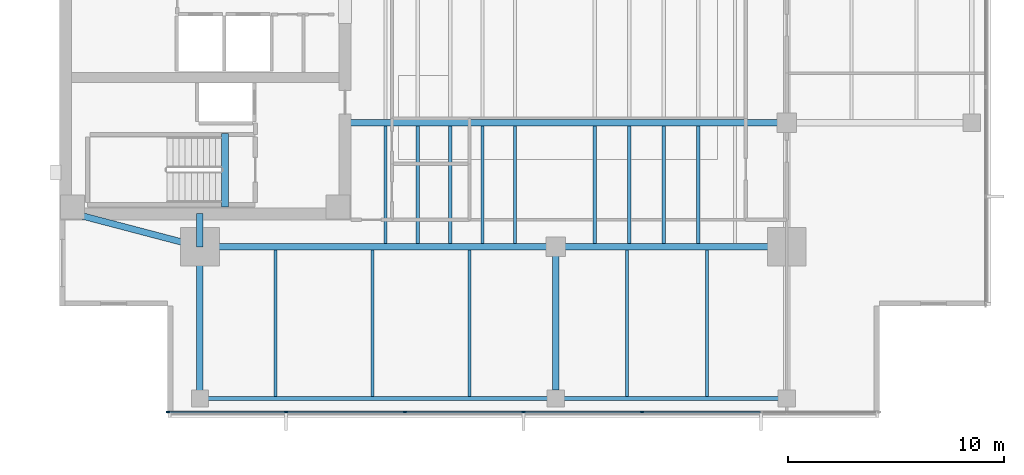
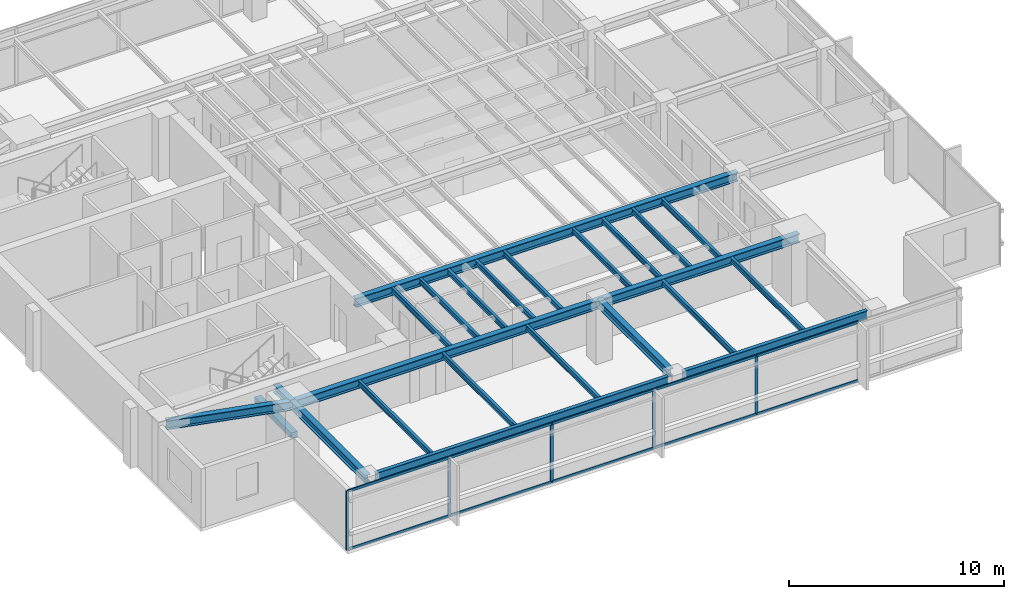
# One storey, part 2 of 14: 24 beams, 15 members, 1 element without a shape of its own.
"""IFC4 building model written with IfcOpenShell, lengths in metres."""

from ifc_helpers import new_model, si_unit, direction, frame, origin, origin_2d, place, context, subcontext, project, spatial, rectangle, i_section, extrude, material, layer, layer_set, material_profile, profile_set, type_object, element, aggregate, save


model = new_model("IFC4")

# Units and contexts
model_context = context("Model", 3, precision=1e-05, world=origin(), true_north=direction((0.0, 1.0)))
body_context = subcontext(model_context, "Body", "Model", "MODEL_VIEW")
ifc_project = project(units=[si_unit("LENGTHUNIT", "METRE"), si_unit("AREAUNIT", "SQUARE_METRE"), si_unit("VOLUMEUNIT", "CUBIC_METRE"), si_unit("PLANEANGLEUNIT", "RADIAN"), si_unit("MASSUNIT", "GRAM", prefix="KILO")], contexts=[model_context])

# Site, building, storey
site_placement = place(None, origin())
site = spatial("IfcSite", under=ifc_project, at=site_placement, CompositionType="ELEMENT")
building_placement = place(site_placement, origin())
building = spatial("IfcBuilding", under=site, at=building_placement, Name="Kinhvarn Gate Tower", CompositionType="ELEMENT")
storey_placement = place(building_placement, frame((0.0, 0.0, 205.800048828125)))
storey = spatial("IfcBuildingStorey", under=building, at=storey_placement, Name="L54", CompositionType="ELEMENT", Elevation=205.800048828125)

# Beam
ifc_material_1 = material(Name="Concrete C50/60", Category="concrete")
ifc_material_profile_1 = material_profile(ifc_material_1, rectangle(XDim=0.340087890625, YDim=0.320068359375, at=origin_2d()), Name="RC 340x320")
ifc_profile_set_1 = profile_set([ifc_material_profile_1], Name="Concrete C50/60")
beam_type_1 = type_object("IfcBeamType", Name="BM-LND-500", PredefinedType="BEAM", material=ifc_profile_set_1)
beam_1_placement = place(storey_placement, frame((12.1650390625, 14.60009765625, -0.16015625), z_axis=(0.0, 1.0, 0.0), x_axis=(-1.0, 0.0, 0.0)))
element("IfcBeam", 1, at=beam_1_placement, inside=storey, type_object=beam_type_1, Name="Stair ST1 Landing Nosing Beam (L54)", PredefinedType="BEAM", context=body_context, shape_type="SweptSolid", body=[
    extrude(rectangle(XDim=0.340087890625, YDim=0.320068359375, at=origin_2d()), origin(), (0.0, 0.0, 1.0), 3.39990234375),
])

# Curtain wall, members
ifc_material_2 = material(Name="Anodised aluminium AW-6063", Category="aluminium")
ifc_layer = layer(ifc_material_2, 0.179931640625)
ifc_layer_set = layer_set([ifc_layer], Name="Anodised aluminium AW-6063")
curtain_wall_type = type_object("IfcCurtainWallType", Name="CW-SYS-3", PredefinedType="NOTDEFINED", material=ifc_layer_set)
curtain_wall_placement = place(storey_placement, origin())
curtain_wall = element("IfcCurtainWall", 2, at=curtain_wall_placement, inside=storey, type_object=curtain_wall_type, Name="Curtain Wall CW3 (L54)", PredefinedType="NOTDEFINED")
ifc_material_profile_2 = material_profile(ifc_material_2, rectangle(XDim=0.06494140625, YDim=0.159912109375, at=origin_2d()), Name="ALU 65x160")
ifc_profile_set_2 = profile_set([ifc_material_profile_2], Name="Anodised aluminium AW-6063")
member_type_1 = type_object("IfcMemberType", Name="CW-MUL-160", PredefinedType="MULLION", material=ifc_profile_set_2)
member_1_placement = place(storey_placement, frame((9.532470703125, 5.090087890625, 0.0), z_axis=(0.0, 0.0, 1.0), x_axis=(0.0, 1.0, 0.0)))
member_1 = element("IfcMember", 3, at=member_1_placement, type_object=member_type_1, Name="CW3 mullion 1", PredefinedType="MULLION", context=body_context, shape_type="SweptSolid", body=[
    extrude(rectangle(XDim=0.06494140625, YDim=0.159912109375, at=origin_2d()), origin(), (0.0, 0.0, 1.0), 3.369873046875),
])
member_2_placement = place(storey_placement, frame((15.0, 5.090087890625, 0.0), z_axis=(0.0, 0.0, 1.0), x_axis=(0.0, 1.0, 0.0)))
member_2 = element("IfcMember", 4, at=member_2_placement, type_object=member_type_1, Name="CW3 mullion 2", PredefinedType="MULLION", context=body_context, shape_type="SweptSolid", body=[
    extrude(rectangle(XDim=0.06494140625, YDim=0.159912109375, at=origin_2d()), origin(), (0.0, 0.0, 1.0), 3.369873046875),
])
member_3_placement = place(storey_placement, frame((20.5, 5.090087890625, 0.0), z_axis=(0.0, 0.0, 1.0), x_axis=(0.0, 1.0, 0.0)))
member_3 = element("IfcMember", 5, at=member_3_placement, type_object=member_type_1, Name="CW3 mullion 3", PredefinedType="MULLION", context=body_context, shape_type="SweptSolid", body=[
    extrude(rectangle(XDim=0.06494140625, YDim=0.159912109375, at=origin_2d()), origin(), (0.0, 0.0, 1.0), 3.369873046875),
])
member_4_placement = place(storey_placement, frame((26.0, 5.090087890625, 0.0), z_axis=(0.0, 0.0, 1.0), x_axis=(0.0, 1.0, 0.0)))
member_4 = element("IfcMember", 6, at=member_4_placement, type_object=member_type_1, Name="CW3 mullion 4", PredefinedType="MULLION", context=body_context, shape_type="SweptSolid", body=[
    extrude(rectangle(XDim=0.06494140625, YDim=0.159912109375, at=origin_2d()), origin(), (0.0, 0.0, 1.0), 3.369873046875),
])
member_5_placement = place(storey_placement, frame((31.5, 5.090087890625, 0.0), z_axis=(0.0, 0.0, 1.0), x_axis=(0.0, 1.0, 0.0)))
member_5 = element("IfcMember", 7, at=member_5_placement, type_object=member_type_1, Name="CW3 mullion 5", PredefinedType="MULLION", context=body_context, shape_type="SweptSolid", body=[
    extrude(rectangle(XDim=0.06494140625, YDim=0.159912109375, at=origin_2d()), origin(), (0.0, 0.0, 1.0), 3.369873046875),
])
ifc_material_profile_3 = material_profile(ifc_material_2, rectangle(XDim=0.070068359375, YDim=0.139892578125, at=origin_2d()), Name="ALU 70x140")
ifc_profile_set_3 = profile_set([ifc_material_profile_3], Name="Anodised aluminium AW-6063")
member_type_2 = type_object("IfcMemberType", Name="CW-TRN-140", PredefinedType="USERDEFINED", material=ifc_profile_set_3)
member_6_placement = place(storey_placement, frame((9.56494140625, 5.090087890625, 0.034912109375), z_axis=(1.0, 0.0, 0.0), x_axis=(0.0, 1.0, 0.0)))
member_6 = element("IfcMember", 8, at=member_6_placement, type_object=member_type_2, Name="CW3 transom 1.1", ObjectType="TRANSOM", PredefinedType="USERDEFINED", context=body_context, shape_type="SweptSolid", body=[
    extrude(rectangle(XDim=0.070068359375, YDim=0.139892578125, at=origin_2d()), origin(), (0.0, 0.0, 1.0), 5.402587890625),
])
member_7_placement = place(storey_placement, frame((9.56494140625, 5.090087890625, 3.3349609375), z_axis=(1.0, 0.0, 0.0), x_axis=(0.0, 1.0, 0.0)))
member_7 = element("IfcMember", 9, at=member_7_placement, type_object=member_type_2, Name="CW3 transom 1.2", ObjectType="TRANSOM", PredefinedType="USERDEFINED", context=body_context, shape_type="SweptSolid", body=[
    extrude(rectangle(XDim=0.070068359375, YDim=0.139892578125, at=origin_2d()), origin(), (0.0, 0.0, 1.0), 5.402587890625),
])
member_8_placement = place(storey_placement, frame((15.032470703125, 5.090087890625, 0.034912109375), z_axis=(1.0, 0.0, 0.0), x_axis=(0.0, 1.0, 0.0)))
member_8 = element("IfcMember", 10, at=member_8_placement, type_object=member_type_2, Name="CW3 transom 2.1", ObjectType="TRANSOM", PredefinedType="USERDEFINED", context=body_context, shape_type="SweptSolid", body=[
    extrude(rectangle(XDim=0.070068359375, YDim=0.139892578125, at=origin_2d()), origin(), (0.0, 0.0, 1.0), 5.43505859375),
])
member_9_placement = place(storey_placement, frame((15.032470703125, 5.090087890625, 3.3349609375), z_axis=(1.0, 0.0, 0.0), x_axis=(0.0, 1.0, 0.0)))
member_9 = element("IfcMember", 11, at=member_9_placement, type_object=member_type_2, Name="CW3 transom 2.2", ObjectType="TRANSOM", PredefinedType="USERDEFINED", context=body_context, shape_type="SweptSolid", body=[
    extrude(rectangle(XDim=0.070068359375, YDim=0.139892578125, at=origin_2d()), origin(), (0.0, 0.0, 1.0), 5.43505859375),
])
member_10_placement = place(storey_placement, frame((20.532470703125, 5.090087890625, 0.034912109375), z_axis=(1.0, 0.0, 0.0), x_axis=(0.0, 1.0, 0.0)))
member_10 = element("IfcMember", 12, at=member_10_placement, type_object=member_type_2, Name="CW3 transom 3.1", ObjectType="TRANSOM", PredefinedType="USERDEFINED", context=body_context, shape_type="SweptSolid", body=[
    extrude(rectangle(XDim=0.070068359375, YDim=0.139892578125, at=origin_2d()), origin(), (0.0, 0.0, 1.0), 5.43505859375),
])
member_11_placement = place(storey_placement, frame((20.532470703125, 5.090087890625, 3.3349609375), z_axis=(1.0, 0.0, 0.0), x_axis=(0.0, 1.0, 0.0)))
member_11 = element("IfcMember", 13, at=member_11_placement, type_object=member_type_2, Name="CW3 transom 3.2", ObjectType="TRANSOM", PredefinedType="USERDEFINED", context=body_context, shape_type="SweptSolid", body=[
    extrude(rectangle(XDim=0.070068359375, YDim=0.139892578125, at=origin_2d()), origin(), (0.0, 0.0, 1.0), 5.43505859375),
])
member_12_placement = place(storey_placement, frame((26.032470703125, 5.090087890625, 0.034912109375), z_axis=(1.0, 0.0, 0.0), x_axis=(0.0, 1.0, 0.0)))
member_12 = element("IfcMember", 14, at=member_12_placement, type_object=member_type_2, Name="CW3 transom 4.1", ObjectType="TRANSOM", PredefinedType="USERDEFINED", context=body_context, shape_type="SweptSolid", body=[
    extrude(rectangle(XDim=0.070068359375, YDim=0.139892578125, at=origin_2d()), origin(), (0.0, 0.0, 1.0), 5.43505859375),
])
member_13_placement = place(storey_placement, frame((26.032470703125, 5.090087890625, 3.3349609375), z_axis=(1.0, 0.0, 0.0), x_axis=(0.0, 1.0, 0.0)))
member_13 = element("IfcMember", 15, at=member_13_placement, type_object=member_type_2, Name="CW3 transom 4.2", ObjectType="TRANSOM", PredefinedType="USERDEFINED", context=body_context, shape_type="SweptSolid", body=[
    extrude(rectangle(XDim=0.070068359375, YDim=0.139892578125, at=origin_2d()), origin(), (0.0, 0.0, 1.0), 5.43505859375),
])
member_14_placement = place(storey_placement, frame((31.532470703125, 5.090087890625, 0.034912109375), z_axis=(1.0, 0.0, 0.0), x_axis=(0.0, 1.0, 0.0)))
member_14 = element("IfcMember", 16, at=member_14_placement, type_object=member_type_2, Name="CW3 transom 5.1", ObjectType="TRANSOM", PredefinedType="USERDEFINED", context=body_context, shape_type="SweptSolid", body=[
    extrude(rectangle(XDim=0.070068359375, YDim=0.139892578125, at=origin_2d()), origin(), (0.0, 0.0, 1.0), 5.43505859375),
])
member_15_placement = place(storey_placement, frame((31.532470703125, 5.090087890625, 3.3349609375), z_axis=(1.0, 0.0, 0.0), x_axis=(0.0, 1.0, 0.0)))
member_15 = element("IfcMember", 17, at=member_15_placement, type_object=member_type_2, Name="CW3 transom 5.2", ObjectType="TRANSOM", PredefinedType="USERDEFINED", context=body_context, shape_type="SweptSolid", body=[
    extrude(rectangle(XDim=0.070068359375, YDim=0.139892578125, at=origin_2d()), origin(), (0.0, 0.0, 1.0), 5.43505859375),
])
aggregate(curtain_wall, [member_1, member_2, member_3, member_4, member_5, member_6, member_7, member_8, member_9, member_10, member_11, member_12, member_13, member_14, member_15])

# Beams
ifc_material_3 = material(Name="Steel S355", Category="steel")
ifc_material_profile_4 = material_profile(ifc_material_3, i_section(OverallWidth=0.300048828125, OverallDepth=0.449951171875, WebThickness=0.013916015625, FlangeThickness=0.02587890625, at=origin_2d()), Name="HEB 450")
ifc_profile_set_4 = profile_set([ifc_material_profile_4], Name="Steel S355")
beam_type_2 = type_object("IfcBeamType", Name="STL-HEB450", PredefinedType="BEAM", material=ifc_profile_set_4)
beam_2_placement = place(storey_placement, frame((11.0, 5.719970703125, 3.14501953125), z_axis=(0.0, 1.0, 0.0), x_axis=(-1.0, 0.0, 0.0)))
element("IfcBeam", 18, at=beam_2_placement, inside=storey, type_object=beam_type_2, Name="Floor Beam PG-13 (L54 MCW-S)", PredefinedType="BEAM", context=body_context, shape_type="SweptSolid", body=[
    extrude(i_section(OverallWidth=0.300048828125, OverallDepth=0.449951171875, WebThickness=0.013916015625, FlangeThickness=0.02587890625, at=origin_2d()), origin(), (0.0, 0.0, 1.0), 7.030029296875),
])
beam_3_placement = place(storey_placement, frame((11.0, 12.75, 3.14501953125), z_axis=(0.0, 1.0, 0.0), x_axis=(-1.0, 0.0, 0.0)))
element("IfcBeam", 19, at=beam_3_placement, inside=storey, type_object=beam_type_2, Name="Floor Beam PG-13 (L54 MCW-CS)", PredefinedType="BEAM", context=body_context, shape_type="SweptSolid", body=[
    extrude(i_section(OverallWidth=0.300048828125, OverallDepth=0.449951171875, WebThickness=0.013916015625, FlangeThickness=0.02587890625, at=origin_2d()), origin(), (0.0, 0.0, 1.0), 1.550048828125),
])
beam_4_placement = place(storey_placement, frame((27.5, 6.10498046875, 3.14501953125), z_axis=(0.0, 1.0, 0.0), x_axis=(-1.0, 0.0, 0.0)))
element("IfcBeam", 20, at=beam_4_placement, inside=storey, type_object=beam_type_2, Name="Floor Beam PG-13 (L54 SP27-S-TIE)", PredefinedType="BEAM", context=body_context, shape_type="SweptSolid", body=[
    extrude(i_section(OverallWidth=0.300048828125, OverallDepth=0.449951171875, WebThickness=0.013916015625, FlangeThickness=0.02587890625, at=origin_2d()), origin(), (0.0, 0.0, 1.0), 6.64501953125),
])
ifc_material_profile_5 = material_profile(ifc_material_3, i_section(OverallWidth=0.300048828125, OverallDepth=0.5, WebThickness=0.014404296875, FlangeThickness=0.028076171875, at=origin_2d()), Name="HEB 500")
ifc_profile_set_5 = profile_set([ifc_material_profile_5], Name="Steel S355")
beam_type_3 = type_object("IfcBeamType", Name="STL-HEB500", PredefinedType="BEAM", material=ifc_profile_set_5)
beam_5_placement = place(storey_placement, frame((11.0, 12.75, 3.119873046875), z_axis=(1.0, 0.0, 0.0), x_axis=(0.0, 1.0, 0.0)))
element("IfcBeam", 21, at=beam_5_placement, inside=storey, type_object=beam_type_3, Name="Floor Beam PG-14 (L54 MG-S1)", PredefinedType="BEAM", context=body_context, shape_type="SweptSolid", body=[
    extrude(i_section(OverallWidth=0.300048828125, OverallDepth=0.5, WebThickness=0.014404296875, FlangeThickness=0.028076171875, at=origin_2d()), origin(), (0.0, 0.0, 1.0), 16.5),
])
beam_6_placement = place(storey_placement, frame((27.5, 12.75, 3.119873046875), z_axis=(1.0, 0.0, 0.0), x_axis=(0.0, 1.0, 0.0)))
element("IfcBeam", 22, at=beam_6_placement, inside=storey, type_object=beam_type_3, Name="Floor Beam PG-14 (L54 MG-S2)", PredefinedType="BEAM", context=body_context, shape_type="SweptSolid", body=[
    extrude(i_section(OverallWidth=0.300048828125, OverallDepth=0.5, WebThickness=0.014404296875, FlangeThickness=0.028076171875, at=origin_2d()), origin(), (0.0, 0.0, 1.0), 10.699951171875),
])
beam_7_placement = place(storey_placement, frame((5.10009765625, 14.300048828125, 3.119873046875), z_axis=(0.967177623957, -0.254101246979, 0.0), x_axis=(0.254101246979, 0.967177623957, 0.0)))
element("IfcBeam", 23, at=beam_7_placement, inside=storey, type_object=beam_type_3, Name="Floor Beam PG-14 (L54 MG-SW-DIAG)", PredefinedType="BEAM", context=body_context, shape_type="SweptSolid", body=[
    extrude(i_section(OverallWidth=0.300048828125, OverallDepth=0.5, WebThickness=0.014404296875, FlangeThickness=0.028076171875, at=origin_2d()), origin(), (0.0, 0.0, 1.0), 6.10009765625),
])
beam_8_placement = place(storey_placement, frame((17.64990234375, 18.5, 3.119873046875), z_axis=(1.0, 0.0, 0.0), x_axis=(0.0, 1.0, 0.0)))
element("IfcBeam", 24, at=beam_8_placement, inside=storey, type_object=beam_type_3, Name="Floor Beam PG-14 (L54 EW1-Y18)", PredefinedType="BEAM", context=body_context, shape_type="SweptSolid", body=[
    extrude(i_section(OverallWidth=0.300048828125, OverallDepth=0.5, WebThickness=0.014404296875, FlangeThickness=0.028076171875, at=origin_2d()), origin(), (0.0, 0.0, 1.0), 20.550048828125),
])
ifc_material_profile_6 = material_profile(ifc_material_3, i_section(OverallWidth=0.14990234375, OverallDepth=0.300048828125, WebThickness=0.007080078125, FlangeThickness=0.0107421875, at=origin_2d()), Name="IPE 300")
ifc_profile_set_6 = profile_set([ifc_material_profile_6], Name="Steel S355")
beam_type_4 = type_object("IfcBeamType", Name="STL-IPE300", PredefinedType="JOIST", material=ifc_profile_set_6)
for number, where, z_axis, x_axis, name in (
    (25, (19.60009765625, 12.89990234375, 3.219970703125), (0.0, 1.0, 0.0), (-1.0, 0.0, 0.0), "Floor Joist SB-02 (L54 JC-X196-0)"),
    (26, (21.10009765625, 12.89990234375, 3.219970703125), (0.0, 1.0, 0.0), (-1.0, 0.0, 0.0), "Floor Joist SB-02 (L54 JC-X211-0)"),
    (27, (22.60009765625, 12.89990234375, 3.219970703125), (0.0, 1.0, 0.0), (-1.0, 0.0, 0.0), "Floor Joist SB-02 (L54 JC-X226-0)"),
    (28, (24.10009765625, 12.89990234375, 3.219970703125), (0.0, 1.0, 0.0), (-1.0, 0.0, 0.0), "Floor Joist SB-02 (L54 JC-X241-0)"),
    (29, (25.60009765625, 12.89990234375, 3.219970703125), (0.0, 1.0, 0.0), (-1.0, 0.0, 0.0), "Floor Joist SB-02 (L54 JC-X256-0)"),
    (30, (29.300048828125, 12.89990234375, 3.219970703125), (0.0, 1.0, 0.0), (-1.0, 0.0, 0.0), "Floor Joist SB-02 (L54 JC-X293-0)"),
    (31, (30.89990234375, 12.89990234375, 3.219970703125), (0.0, 1.0, 0.0), (-1.0, 0.0, 0.0), "Floor Joist SB-02 (L54 JC-X309-0)"),
    (32, (32.5, 12.89990234375, 3.219970703125), (0.0, 1.0, 0.0), (-1.0, 0.0, 0.0), "Floor Joist SB-02 (L54 JC-X325-0)"),
    (33, (34.10009765625, 12.89990234375, 3.219970703125), (0.0, 1.0, 0.0), (-1.0, 0.0, 0.0), "Floor Joist SB-02 (L54 JC-X341-0)"),
):
    element("IfcBeam", number, at=place(storey_placement, frame(where, z_axis=z_axis, x_axis=x_axis)), inside=storey, type_object=beam_type_4, Name=name, PredefinedType="JOIST", context=body_context, shape_type="SweptSolid", body=[
        extrude(i_section(OverallWidth=0.14990234375, OverallDepth=0.300048828125, WebThickness=0.007080078125, FlangeThickness=0.0107421875, at=origin_2d()), origin(), (0.0, 0.0, 1.0), 5.4501953125),
    ])
for number, where, z_axis, x_axis, name in (
    (34, (14.5, 5.820068359375, 3.219970703125), (0.0, 1.0, 0.0), (-1.0, 0.0, 0.0), "Floor Joist SB-02 (L54 JS-X145)"),
    (35, (19.0, 5.820068359375, 3.219970703125), (0.0, 1.0, 0.0), (-1.0, 0.0, 0.0), "Floor Joist SB-02 (L54 JS-X190)"),
    (36, (23.5, 5.820068359375, 3.219970703125), (0.0, 1.0, 0.0), (-1.0, 0.0, 0.0), "Floor Joist SB-02 (L54 JS-X235)"),
    (37, (30.800048828125, 5.820068359375, 3.219970703125), (0.0, 1.0, 0.0), (-1.0, 0.0, 0.0), "Floor Joist SB-02 (L54 JS-X308)"),
    (38, (34.5, 5.820068359375, 3.219970703125), (0.0, 1.0, 0.0), (-1.0, 0.0, 0.0), "Floor Joist SB-02 (L54 JS-X345)"),
):
    element("IfcBeam", number, at=place(storey_placement, frame(where, z_axis=z_axis, x_axis=x_axis)), inside=storey, type_object=beam_type_4, Name=name, PredefinedType="JOIST", context=body_context, shape_type="SweptSolid", body=[
        extrude(i_section(OverallWidth=0.14990234375, OverallDepth=0.300048828125, WebThickness=0.007080078125, FlangeThickness=0.0107421875, at=origin_2d()), origin(), (0.0, 0.0, 1.0), 6.780029296875),
    ])
ifc_material_profile_7 = material_profile(ifc_material_3, i_section(OverallWidth=0.199951171875, OverallDepth=0.5, WebThickness=0.01025390625, FlangeThickness=0.01611328125, at=origin_2d()), Name="IPE 500")
ifc_profile_set_7 = profile_set([ifc_material_profile_7], Name="Steel S355")
beam_type_5 = type_object("IfcBeamType", Name="STL-IPE500", PredefinedType="SPANDREL", material=ifc_profile_set_7)
beam_9_placement = place(storey_placement, frame((11.385009765625, 5.719970703125, 3.119873046875), z_axis=(1.0, 0.0, 0.0), x_axis=(0.0, 1.0, 0.0)))
element("IfcBeam", 39, at=beam_9_placement, inside=storey, type_object=beam_type_5, Name="Floor Spandrel SB-07 (L54 SP-S1)", PredefinedType="SPANDREL", context=body_context, shape_type="SweptSolid", body=[
    extrude(i_section(OverallWidth=0.199951171875, OverallDepth=0.5, WebThickness=0.01025390625, FlangeThickness=0.01611328125, at=origin_2d()), origin(), (0.0, 0.0, 1.0), 15.72998046875),
])
beam_10_placement = place(storey_placement, frame((27.885009765625, 5.719970703125, 3.119873046875), z_axis=(1.0, 0.0, 0.0), x_axis=(0.0, 1.0, 0.0)))
element("IfcBeam", 40, at=beam_10_placement, inside=storey, type_object=beam_type_5, Name="Floor Spandrel SB-07 (L54 SP-S2)", PredefinedType="SPANDREL", context=body_context, shape_type="SweptSolid", body=[
    extrude(i_section(OverallWidth=0.199951171875, OverallDepth=0.5, WebThickness=0.01025390625, FlangeThickness=0.01611328125, at=origin_2d()), origin(), (0.0, 0.0, 1.0), 9.929931640625),
])

save(model, "model.ifc")
